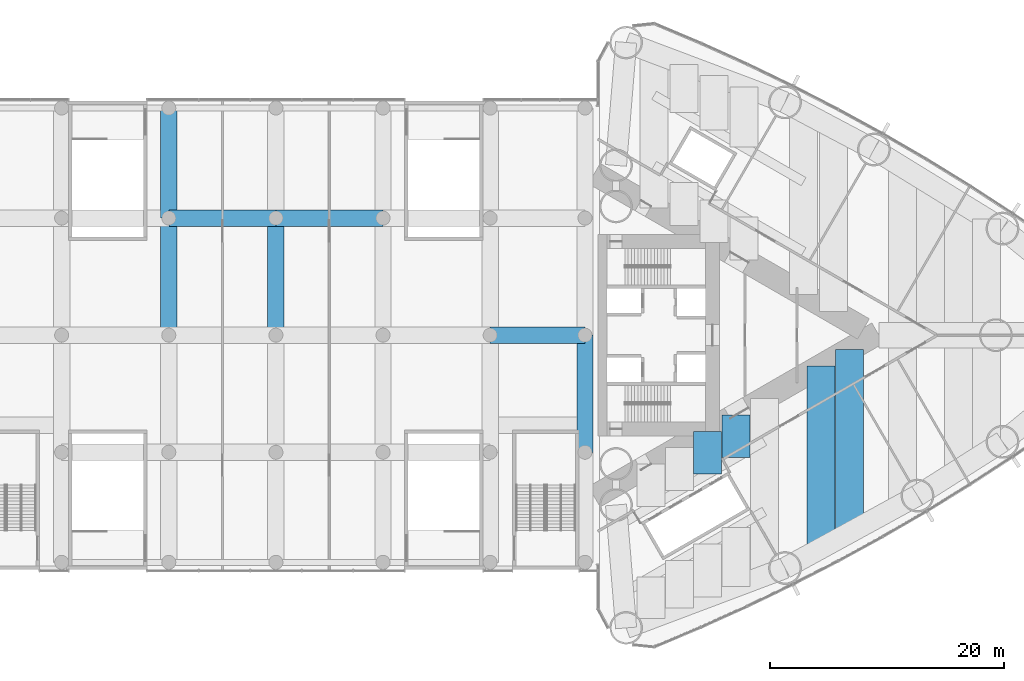
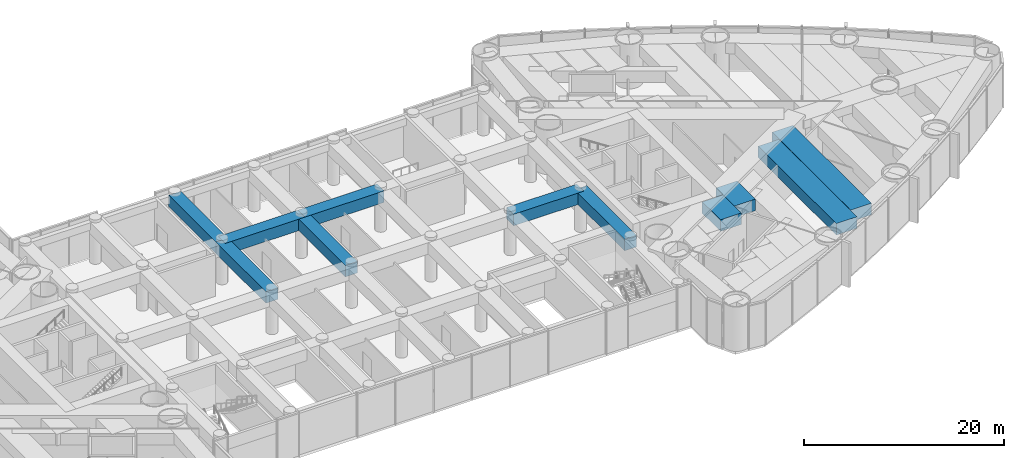
# One storey, part 8 of 20: 11 beams.
"""IFC4 building model written with IfcOpenShell, lengths in metres."""

from ifc_helpers import new_model, si_unit, direction, frame, origin, origin_2d, place, context, subcontext, project, spatial, rectangle, extrude, material, material_profile, profile_set, type_object, element, save


model = new_model("IFC4")

# Units and contexts
model_context = context("Model", 3, precision=1e-05, world=origin(), true_north=direction((0.0, 1.0)))
body_context = subcontext(model_context, "Body", "Model", "MODEL_VIEW")
ifc_project = project(units=[si_unit("LENGTHUNIT", "METRE"), si_unit("AREAUNIT", "SQUARE_METRE"), si_unit("VOLUMEUNIT", "CUBIC_METRE"), si_unit("PLANEANGLEUNIT", "RADIAN"), si_unit("MASSUNIT", "GRAM", prefix="KILO")], contexts=[model_context])

# Site, building, storey
site_placement = place(None, origin())
site = spatial("IfcSite", under=ifc_project, at=site_placement, CompositionType="ELEMENT")
building_placement = place(site_placement, origin())
building = spatial("IfcBuilding", under=site, at=building_placement, Name="Lancet Gate Hotel", CompositionType="ELEMENT")
storey_placement = place(building_placement, frame((0.0, 0.0, 7.199951171875)))
storey = spatial("IfcBuildingStorey", under=building, at=storey_placement, Name="L01", CompositionType="ELEMENT", Elevation=7.199951171875)

# Beams
ifc_material_1 = material(Name="Concrete C50/60", Category="concrete")
ifc_material_profile_1 = material_profile(ifc_material_1, rectangle(XDim=2.39990234375, YDim=1.39990234375, at=origin_2d()), Name="RC 2400x1400")
ifc_profile_set_1 = profile_set([ifc_material_profile_1], Name="Concrete C50/60")
beam_type_1 = type_object("IfcBeamType", Name="Floor beam RC 2400x1400", PredefinedType="BEAM", material=ifc_profile_set_1)
beam_1_placement = place(storey_placement, frame((46.561767578125, -18.203369140625, 4.35009765625), z_axis=(0.0, 1.0, 0.0), x_axis=(-1.0, 0.0, 0.0)))
element("IfcBeam", 1, at=beam_1_placement, inside=storey, type_object=beam_type_1, Name="T2 floor beam F13S L01", PredefinedType="BEAM", context=body_context, shape_type="SweptSolid", body=[
    extrude(rectangle(XDim=2.39990234375, YDim=1.39990234375, at=origin_2d()), origin(), (0.0, 0.0, 1.0), 15.58203125),
])
beam_2_placement = place(storey_placement, frame((48.98193359375, -16.879638671875, 4.35009765625), z_axis=(0.0, 1.0, 0.0), x_axis=(-1.0, 0.0, 0.0)))
element("IfcBeam", 2, at=beam_2_placement, inside=storey, type_object=beam_type_1, Name="T2 floor beam F15S L01", PredefinedType="BEAM", context=body_context, shape_type="SweptSolid", body=[
    extrude(rectangle(XDim=2.39990234375, YDim=1.39990234375, at=origin_2d()), origin(), (0.0, 0.0, 1.0), 15.655517578125),
])
beam_3_placement = place(storey_placement, frame((36.880859375, -11.8564453125, 4.35009765625), z_axis=(0.0, 1.0, 0.0), x_axis=(-1.0, 0.0, 0.0)))
element("IfcBeam", 3, at=beam_3_placement, inside=storey, type_object=beam_type_1, Name="T2 floor beam F07SB L01", PredefinedType="BEAM", context=body_context, shape_type="SweptSolid", body=[
    extrude(rectangle(XDim=2.39990234375, YDim=1.39990234375, at=origin_2d()), origin(), (0.0, 0.0, 1.0), 3.645751953125),
])
beam_4_placement = place(storey_placement, frame((39.301025390625, -10.458984375, 4.35009765625), z_axis=(0.0, 1.0, 0.0), x_axis=(-1.0, 0.0, 0.0)))
element("IfcBeam", 4, at=beam_4_placement, inside=storey, type_object=beam_type_1, Name="T2 floor beam F09SB L01", PredefinedType="BEAM", context=body_context, shape_type="SweptSolid", body=[
    extrude(rectangle(XDim=2.39990234375, YDim=1.39990234375, at=origin_2d()), origin(), (0.0, 0.0, 1.0), 3.6455078125),
])
ifc_material_2 = material(Name="Concrete C50/60", Category="concrete")
ifc_material_profile_2 = material_profile(ifc_material_2, rectangle(XDim=1.39990234375, YDim=1.39990234375, at=origin_2d()), Name="RC 1400x1400")
ifc_profile_set_2 = profile_set([ifc_material_profile_2], Name="Concrete C50/60")
beam_type_2 = type_object("IfcBeamType", Name="Podium beam RC 1400x1400", PredefinedType="BEAM", material=ifc_profile_set_2)
beam_5_placement = place(storey_placement, frame((18.300048828125, 0.0, 4.35009765625), z_axis=(1.0, 0.0, 0.0), x_axis=(0.0, 1.0, 0.0)))
element("IfcBeam", 5, at=beam_5_placement, inside=storey, type_object=beam_type_2, Name="Podium beam C/6-7 L01", PredefinedType="BEAM", context=body_context, shape_type="SweptSolid", body=[
    extrude(rectangle(XDim=1.39990234375, YDim=1.39990234375, at=origin_2d()), origin(), (0.0, 0.0, 1.0), 8.099853515625),
])
for number, where, z_axis, x_axis, name in (
    (6, (-9.14990234375, 10.0, 4.35009765625), (1.0, 0.0, 0.0), (0.0, 1.0, 0.0), "Podium beam D/3-4 L01"),
    (7, (0.0, 10.0, 4.35009765625), (1.0, 0.0, 0.0), (0.0, 1.0, 0.0), "Podium beam D/4-5 L01"),
):
    element("IfcBeam", number, at=place(storey_placement, frame(where, z_axis=z_axis, x_axis=x_axis)), inside=storey, type_object=beam_type_2, Name=name, PredefinedType="BEAM", context=body_context, shape_type="SweptSolid", body=[
        extrude(rectangle(XDim=1.39990234375, YDim=1.39990234375, at=origin_2d()), origin(), (0.0, 0.0, 1.0), 9.14990234375),
    ])
beam_6_placement = place(storey_placement, frame((-9.14990234375, 0.0, 4.35009765625), z_axis=(0.0, 1.0, 0.0), x_axis=(-1.0, 0.0, 0.0)))
element("IfcBeam", 8, at=beam_6_placement, inside=storey, type_object=beam_type_2, Name="Podium beam 3/C-D L01", PredefinedType="BEAM", context=body_context, shape_type="SweptSolid", body=[
    extrude(rectangle(XDim=1.39990234375, YDim=1.39990234375, at=origin_2d()), origin(), (0.0, 0.0, 1.0), 10.0),
])
beam_7_placement = place(storey_placement, frame((-9.14990234375, 10.0, 4.35009765625), z_axis=(0.0, 1.0, 0.0), x_axis=(-1.0, 0.0, 0.0)))
element("IfcBeam", 9, at=beam_7_placement, inside=storey, type_object=beam_type_2, Name="Podium beam 3/D-E L01", PredefinedType="BEAM", context=body_context, shape_type="SweptSolid", body=[
    extrude(rectangle(XDim=1.39990234375, YDim=1.39990234375, at=origin_2d()), origin(), (0.0, 0.0, 1.0), 9.39990234375),
])
for number, where, z_axis, x_axis, name in (
    (10, (0.0, 0.0, 4.35009765625), (0.0, 1.0, 0.0), (-1.0, 0.0, 0.0), "Podium beam 4/C-D L01"),
    (11, (26.39990234375, -10.0, 4.35009765625), (0.0, 1.0, 0.0), (-1.0, 0.0, 0.0), "Podium beam 7/B-C L01"),
):
    element("IfcBeam", number, at=place(storey_placement, frame(where, z_axis=z_axis, x_axis=x_axis)), inside=storey, type_object=beam_type_2, Name=name, PredefinedType="BEAM", context=body_context, shape_type="SweptSolid", body=[
        extrude(rectangle(XDim=1.39990234375, YDim=1.39990234375, at=origin_2d()), origin(), (0.0, 0.0, 1.0), 10.0),
    ])

save(model, "model.ifc")
